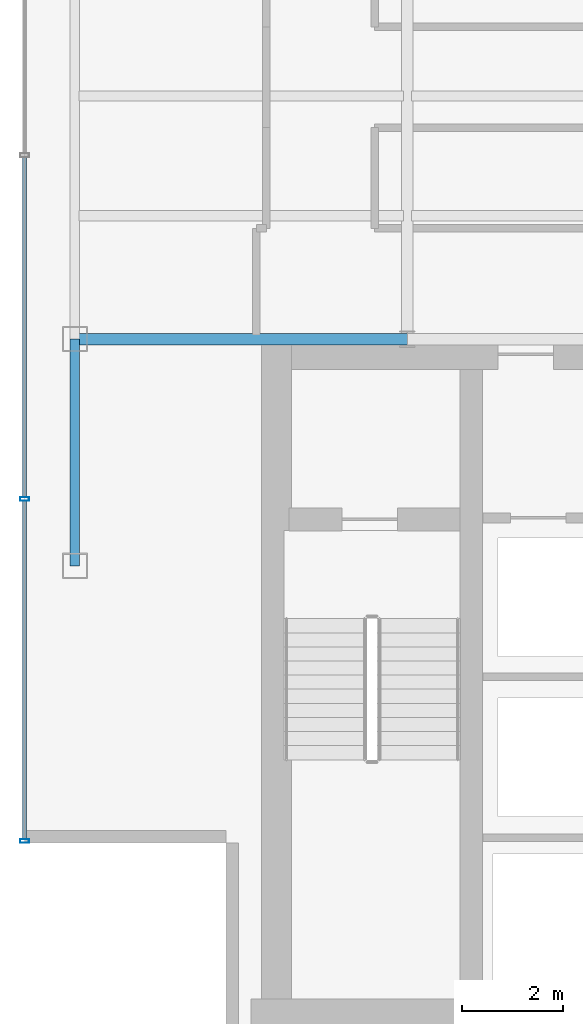
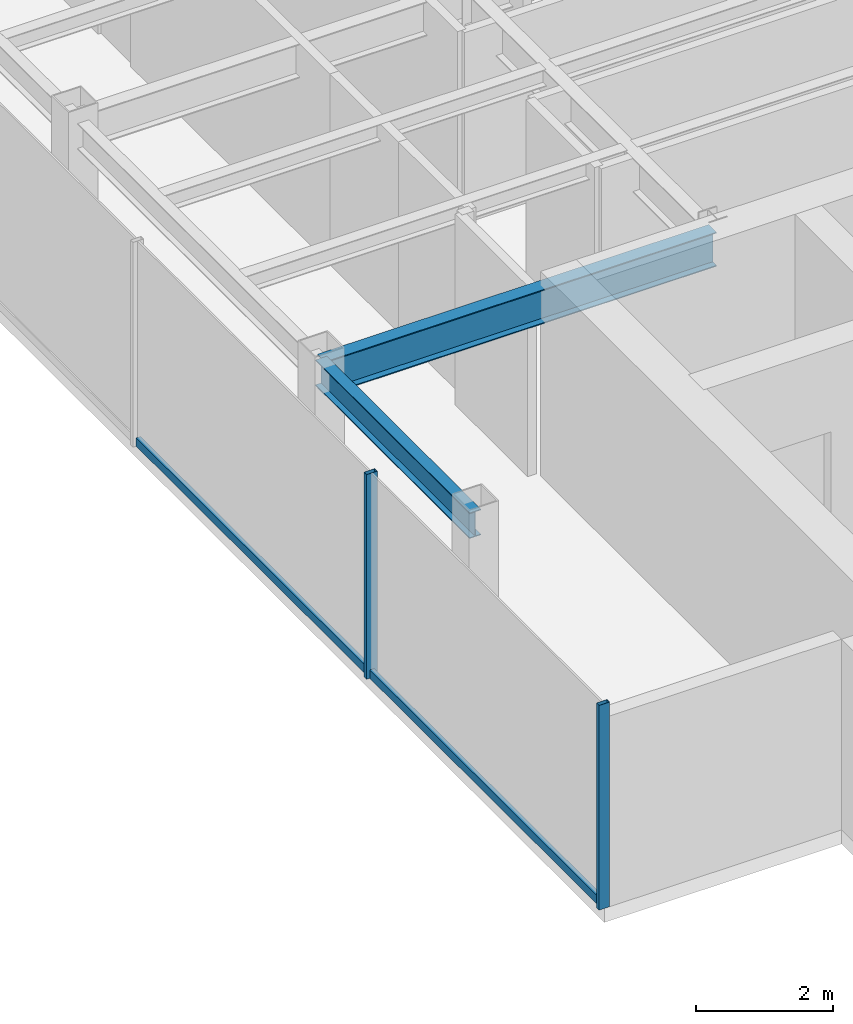
# One storey, part 3 of 22: 4 members, 2 beams, 1 element without a shape of its own.
"""IFC4 building model written with IfcOpenShell, lengths in metres."""

from ifc_helpers import new_model, si_unit, derived_unit, direction, frame, origin, origin_2d, place, context, subcontext, project, spatial, hollow_rectangle, i_section, extrude, source, transform, mapped, material, material_profile, profile_set, type_object, element, aggregate, save


model = new_model("IFC4")

# Units and contexts
model_context = context("Model", 3, precision=1e-05, world=origin(), true_north=direction((0.0, 1.0)))
body_context = subcontext(model_context, "Body", "Model", "MODEL_VIEW")
ifc_project = project(units=[si_unit("LENGTHUNIT", "METRE"), si_unit("AREAUNIT", "SQUARE_METRE"), si_unit("VOLUMEUNIT", "CUBIC_METRE"), si_unit("PLANEANGLEUNIT", "RADIAN"), si_unit("MASSUNIT", "GRAM", prefix="KILO"), derived_unit("THERMALTRANSMITTANCEUNIT", [(si_unit("POWERUNIT", "WATT"), 1), (si_unit("LENGTHUNIT", "METRE"), -2), (si_unit("THERMODYNAMICTEMPERATUREUNIT", "KELVIN"), -1)])], contexts=[model_context])

# Site, building, storey
site_placement = place(None, origin())
site = spatial("IfcSite", under=ifc_project, at=site_placement, CompositionType="ELEMENT")
building_placement = place(site_placement, origin())
building = spatial("IfcBuilding", under=site, at=building_placement, Name="Skarnbrae Concourse Arena and Tower", CompositionType="ELEMENT")
storey_placement = place(building_placement, frame((0.0, 0.0, 240.550048828125)))
storey = spatial("IfcBuildingStorey", under=building, at=storey_placement, Name="L62", CompositionType="ELEMENT", Elevation=240.550048828125)

# Beams
ifc_material_1 = material(Name="Steel CSA G40.21 350W", Category="steel")
ifc_material_profile_1 = material_profile(ifc_material_1, i_section(OverallWidth=0.22802734375, OverallDepth=0.60791015625, WebThickness=0.01123046875, FlangeThickness=0.017333984375, at=origin_2d()), Name="W610X113")
ifc_profile_set_1 = profile_set([ifc_material_profile_1], Name="Steel CSA G40.21 350W")
beam_type_1 = type_object("IfcBeamType", Name="BM-GIRD-W610X113", PredefinedType="BEAM", material=ifc_profile_set_1)
shared_shape_1 = source(origin(), body_context, "Body", "SweptSolid", [
    extrude(i_section(OverallWidth=0.22802734375, OverallDepth=0.60791015625, WebThickness=0.01123046875, FlangeThickness=0.017333984375, at=origin_2d()), origin(), (0.0, 0.0, 1.0), 6.60009765625),
])
beam_1_placement = place(storey_placement, frame((1.0, 14.0, 3.095947265625), z_axis=(1.0, 0.0, 0.0), x_axis=(0.0, 1.0, 0.0)))
element("IfcBeam", 1, at=beam_1_placement, inside=storey, type_object=beam_type_1, Name="L62 Primary E-W girder Y14.0-1", PredefinedType="BEAM", context=body_context, shape_type="MappedRepresentation", body=[
    mapped(shared_shape_1, transform((0.0, 0.0, 0.0))),
])
ifc_material_profile_2 = material_profile(ifc_material_1, i_section(OverallWidth=0.19091796875, OverallDepth=0.4599609375, WebThickness=0.010009765625, FlangeThickness=0.01611328125, at=origin_2d()), Name="W460X82")
ifc_profile_set_2 = profile_set([ifc_material_profile_2], Name="Steel CSA G40.21 350W")
beam_type_2 = type_object("IfcBeamType", Name="BM-SPAN-W460X82", PredefinedType="SPANDREL", material=ifc_profile_set_2)
shared_shape_2 = source(origin(), body_context, "Body", "SweptSolid", [
    extrude(i_section(OverallWidth=0.19091796875, OverallDepth=0.4599609375, WebThickness=0.010009765625, FlangeThickness=0.01611328125, at=origin_2d()), origin(), (0.0, 0.0, 1.0), 4.5),
])
beam_2_placement = place(storey_placement, frame((1.0, 9.5, 3.169921875), z_axis=(0.0, 1.0, 0.0), x_axis=(-1.0, 0.0, 0.0)))
element("IfcBeam", 2, at=beam_2_placement, inside=storey, type_object=beam_type_2, Name="L62 Perimeter spandrel X1.0-1", PredefinedType="SPANDREL", context=body_context, shape_type="MappedRepresentation", body=[
    mapped(shared_shape_2, transform((0.0, 0.0, 0.0))),
])

# Curtain wall, members
ifc_material_2 = material(Name="Bronze anodised aluminium 6063-T6", Category="aluminium")
curtain_wall_type = type_object("IfcCurtainWallType", Name="CW-SYS-05-HIGHZONE", PredefinedType="USERDEFINED", material=ifc_material_2)
curtain_wall_placement = place(storey_placement, origin())
curtain_wall = element("IfcCurtainWall", 3, at=curtain_wall_placement, inside=storey, type_object=curtain_wall_type, Name="L62 Unitised curtain wall CW-L62-E18", ObjectType="UNITISED CURTAIN WALL", PredefinedType="USERDEFINED")
ifc_material_profile_3 = material_profile(ifc_material_2, hollow_rectangle(XDim=0.074951171875, YDim=0.179931640625, WallThickness=0.00390625, at=origin_2d()), Name="ALU-MULL-75X180")
ifc_profile_set_3 = profile_set([ifc_material_profile_3], Name="Bronze anodised aluminium 6063-T6")
member_type_1 = type_object("IfcMemberType", Name="CWM-CW-05", PredefinedType="MULLION", material=ifc_profile_set_3)
shared_shape_3 = source(origin(), body_context, "Body", "SweptSolid", [
    extrude(hollow_rectangle(XDim=0.074951171875, YDim=0.179931640625, WallThickness=0.00390625, at=origin_2d()), origin(), (0.0, 0.0, 1.0), 3.64990234375),
])
member_1_placement = place(storey_placement, frame((0.0, 10.824951171875, 0.0), z_axis=(0.0, 0.0, 1.0), x_axis=(0.0, -1.0, 0.0)))
member_1 = element("IfcMember", 4, at=member_1_placement, type_object=member_type_1, Name="CW-L62-E18 Mullion 4", PredefinedType="MULLION", context=body_context, shape_type="MappedRepresentation", body=[
    mapped(shared_shape_3, transform((0.0, 0.0, 0.0))),
])
member_2_placement = place(storey_placement, frame((0.0, 4.03759765625, 0.0), z_axis=(0.0, 0.0, 1.0), x_axis=(0.0, -1.0, 0.0)))
member_2 = element("IfcMember", 5, at=member_2_placement, type_object=member_type_1, Name="CW-L62-E18 Mullion 5", PredefinedType="MULLION", context=body_context, shape_type="MappedRepresentation", body=[
    mapped(shared_shape_3, transform((0.0, 0.0, 0.0))),
])
ifc_material_profile_4 = material_profile(ifc_material_2, hollow_rectangle(XDim=0.074951171875, YDim=0.14990234375, WallThickness=0.00390625, at=origin_2d()), Name="ALU-TRAN-75X150")
ifc_profile_set_4 = profile_set([ifc_material_profile_4], Name="Bronze anodised aluminium 6063-T6")
member_type_2 = type_object("IfcMemberType", Name="CWT-CW-05", PredefinedType="USERDEFINED", material=ifc_profile_set_4)
shared_shape_4 = source(origin(), body_context, "Body", "SweptSolid", [
    extrude(hollow_rectangle(XDim=0.074951171875, YDim=0.14990234375, WallThickness=0.00390625, at=origin_2d()), origin(), (0.0, 0.0, 1.0), 6.712646484375),
])
member_3_placement = place(storey_placement, frame((0.0, 10.78759765625, 0.074951171875), z_axis=(0.0, -1.0, 0.0), x_axis=(1.0, 0.0, 0.0)))
member_3 = element("IfcMember", 6, at=member_3_placement, type_object=member_type_2, Name="CW-L62-E18 Transom 4", ObjectType="TRANSOM", PredefinedType="USERDEFINED", context=body_context, shape_type="MappedRepresentation", body=[
    mapped(shared_shape_4, transform((0.0, 0.0, 0.0))),
])
shared_shape_5 = source(origin(), body_context, "Body", "SweptSolid", [
    extrude(hollow_rectangle(XDim=0.074951171875, YDim=0.14990234375, WallThickness=0.00390625, at=origin_2d()), origin(), (0.0, 0.0, 1.0), 6.75),
])
member_4_placement = place(storey_placement, frame((0.0, 17.612548828125, 0.074951171875), z_axis=(0.0, -1.0, 0.0), x_axis=(1.0, 0.0, 0.0)))
member_4 = element("IfcMember", 7, at=member_4_placement, type_object=member_type_2, Name="CW-L62-E18 Transom 3", ObjectType="TRANSOM", PredefinedType="USERDEFINED", context=body_context, shape_type="MappedRepresentation", body=[
    mapped(shared_shape_5, transform((0.0, 0.0, 0.0))),
])
aggregate(curtain_wall, [member_1, member_2, member_4, member_3])

save(model, "model.ifc")
